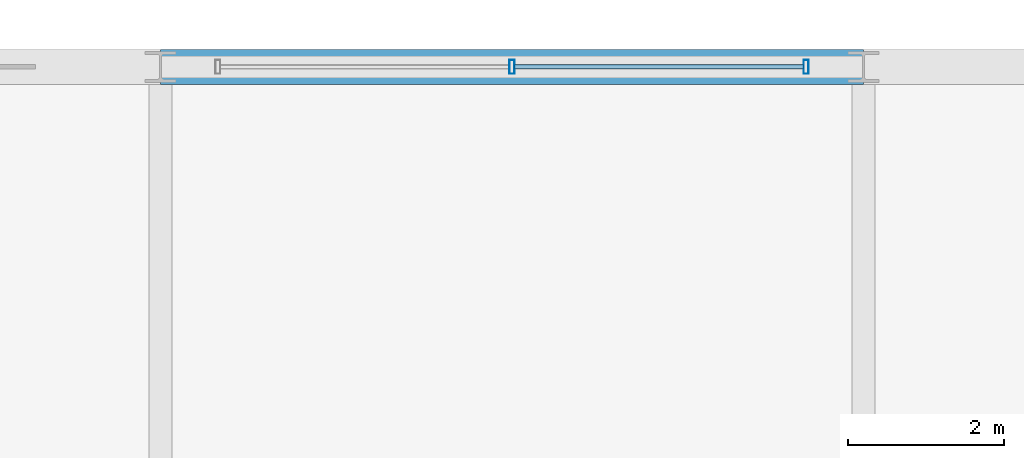
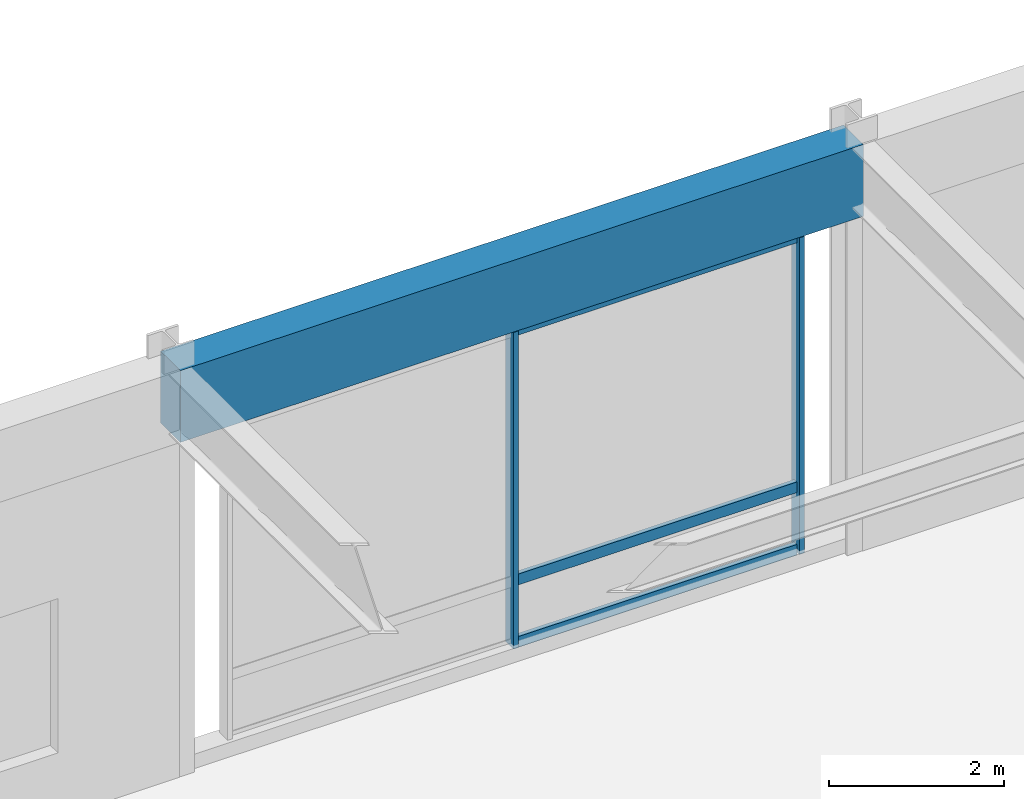
# One storey, part 69 of 105: 5 members, 1 beam, 1 element without a shape of its own.
"""IFC4 building model written with IfcOpenShell, lengths in metres."""

from ifc_helpers import new_model, si_unit, direction, frame, origin, origin_2d, place, context, subcontext, project, spatial, rectangle, hollow_rectangle, extrude, material, material_profile, profile_set, type_object, element, aggregate, save


model = new_model("IFC4")

# Units and contexts
model_context = context("Model", 3, precision=1e-05, world=origin(), true_north=direction((0.0, 1.0)))
body_context = subcontext(model_context, "Body", "Model", "MODEL_VIEW")
ifc_project = project(units=[si_unit("LENGTHUNIT", "METRE"), si_unit("AREAUNIT", "SQUARE_METRE"), si_unit("VOLUMEUNIT", "CUBIC_METRE"), si_unit("PLANEANGLEUNIT", "RADIAN"), si_unit("MASSUNIT", "GRAM", prefix="KILO")], contexts=[model_context])

# Site, building, storey
site_placement = place(None, origin())
site = spatial("IfcSite", under=ifc_project, at=site_placement, CompositionType="ELEMENT")
building_placement = place(site_placement, origin())
building = spatial("IfcBuilding", under=site, at=building_placement, Name="Kaldorvane Square Convention Centre", CompositionType="ELEMENT")
storey_placement = place(building_placement, frame((0.0, 0.0, 6.0)))
storey = spatial("IfcBuildingStorey", under=building, at=storey_placement, Name="L01", CompositionType="ELEMENT", Elevation=6.0)

# Beam
ifc_material_1 = material(Name="Concrete f'c = 42 MPa (Normalweight)", Category="concrete")
ifc_material_profile_1 = material_profile(ifc_material_1, rectangle(XDim=0.4499969482421875, YDim=1.0, at=origin_2d()), Name="RCSP1000X450")
ifc_profile_set_1 = profile_set([ifc_material_profile_1], Name="Concrete f'c = 42 MPa (Normalweight)")
beam_type = type_object("IfcBeamType", Name="BM-SP-RC1000", PredefinedType="SPANDREL", material=ifc_profile_set_1)
beam_placement = place(storey_placement, frame((156.0, 117.0, 5.175994873046875), z_axis=(1.0, 0.0, 0.0), x_axis=(0.0, 1.0, 0.0)))
element("IfcBeam", 1, at=beam_placement, inside=storey, type_object=beam_type, Name="Perimeter Spandrel (L01)", PredefinedType="SPANDREL", context=body_context, shape_type="SweptSolid", body=[
    extrude(rectangle(XDim=0.4499969482421875, YDim=1.0, at=origin_2d()), origin(), (0.0, 0.0, 1.0), 9.0),
])

# Curtain wall, members
ifc_material_2 = material(Name="Anodized Aluminum and Low-E Insulated Glazing", Category="aluminium")
curtain_wall_type = type_object("IfcCurtainWallType", Name="CW-UNI-P60-09", PredefinedType="USERDEFINED", material=ifc_material_2)
curtain_wall_placement = place(storey_placement, origin())
curtain_wall = element("IfcCurtainWall", 2, at=curtain_wall_placement, inside=storey, type_object=curtain_wall_type, Name="Curtain Wall CW-02 (L01)", ObjectType="UNITISED GLAZING", PredefinedType="USERDEFINED")
ifc_material_profile_2 = material_profile(ifc_material_2, hollow_rectangle(XDim=0.06500244140625, YDim=0.17999267578125, WallThickness=0.0034942626953125, at=origin_2d()), Name="CWM-180X65")
ifc_profile_set_2 = profile_set([ifc_material_profile_2], Name="Anodized Aluminum and Low-E Insulated Glazing")
member_type_1 = type_object("IfcMemberType", Name="CW-MUL-180", PredefinedType="MULLION", material=ifc_profile_set_2)
member_1_placement = place(storey_placement, frame((164.2675018310547, 117.0, 0.149993896484375), z_axis=(0.0, 0.0, 1.0), x_axis=(-1.0, 0.0, 0.0)))
member_1 = element("IfcMember", 3, at=member_1_placement, type_object=member_type_1, Name="CW-02 mullion 1", PredefinedType="MULLION", context=body_context, shape_type="SweptSolid", body=[
    extrude(hollow_rectangle(XDim=0.06500244140625, YDim=0.17999267578125, WallThickness=0.0034942626953125, at=origin_2d()), origin(), (0.0, 0.0, 1.0), 4.410003662109375),
])
member_2_placement = place(storey_placement, frame((160.5, 117.0, 0.149993896484375), z_axis=(0.0, 0.0, 1.0), x_axis=(-1.0, 0.0, 0.0)))
member_2 = element("IfcMember", 4, at=member_2_placement, type_object=member_type_1, Name="CW-02 mullion 2", PredefinedType="MULLION", context=body_context, shape_type="SweptSolid", body=[
    extrude(hollow_rectangle(XDim=0.06500244140625, YDim=0.17999267578125, WallThickness=0.0034942626953125, at=origin_2d()), origin(), (0.0, 0.0, 1.0), 4.410003662109375),
])
ifc_material_profile_3 = material_profile(ifc_material_2, hollow_rectangle(XDim=0.05999755859375, YDim=0.149993896484375, WallThickness=0.003204345703125, at=origin_2d()), Name="CWT-150X60")
ifc_profile_set_3 = profile_set([ifc_material_profile_3], Name="Anodized Aluminum and Low-E Insulated Glazing")
member_type_2 = type_object("IfcMemberType", Name="CW-TRN-150", PredefinedType="USERDEFINED", material=ifc_profile_set_3)
member_3_placement = place(storey_placement, frame((164.23500061035156, 117.0, 0.17999267578125), z_axis=(-1.0, 0.0, 0.0), x_axis=(0.0, -1.0, 0.0)))
member_3 = element("IfcMember", 5, at=member_3_placement, type_object=member_type_2, Name="CW-02 transom 1.1", ObjectType="TRANSOM", PredefinedType="USERDEFINED", context=body_context, shape_type="SweptSolid", body=[
    extrude(hollow_rectangle(XDim=0.05999755859375, YDim=0.149993896484375, WallThickness=0.003204345703125, at=origin_2d()), origin(), (0.0, 0.0, 1.0), 3.7024993896484375),
])
member_4_placement = place(storey_placement, frame((164.23500061035156, 117.0, 1.0500030517578125), z_axis=(-1.0, 0.0, 0.0), x_axis=(0.0, -1.0, 0.0)))
member_4 = element("IfcMember", 6, at=member_4_placement, type_object=member_type_2, Name="CW-02 transom 1.2", ObjectType="TRANSOM", PredefinedType="USERDEFINED", context=body_context, shape_type="SweptSolid", body=[
    extrude(hollow_rectangle(XDim=0.05999755859375, YDim=0.149993896484375, WallThickness=0.003204345703125, at=origin_2d()), origin(), (0.0, 0.0, 1.0), 3.7024993896484375),
])
member_5_placement = place(storey_placement, frame((164.23500061035156, 117.0, 4.529998779296875), z_axis=(-1.0, 0.0, 0.0), x_axis=(0.0, -1.0, 0.0)))
member_5 = element("IfcMember", 7, at=member_5_placement, type_object=member_type_2, Name="CW-02 transom 1.3", ObjectType="TRANSOM", PredefinedType="USERDEFINED", context=body_context, shape_type="SweptSolid", body=[
    extrude(hollow_rectangle(XDim=0.05999755859375, YDim=0.149993896484375, WallThickness=0.003204345703125, at=origin_2d()), origin(), (0.0, 0.0, 1.0), 3.7024993896484375),
])
aggregate(curtain_wall, [member_1, member_2, member_3, member_4, member_5])

save(model, "model.ifc")
